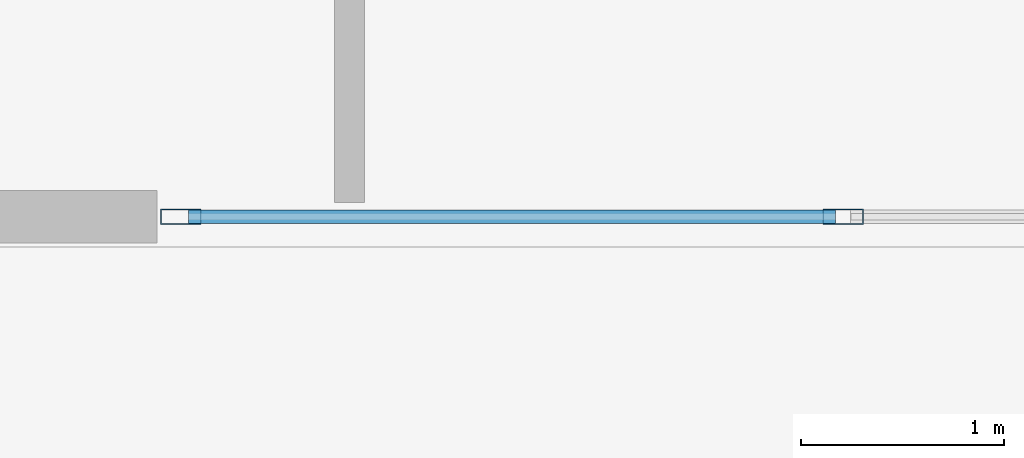
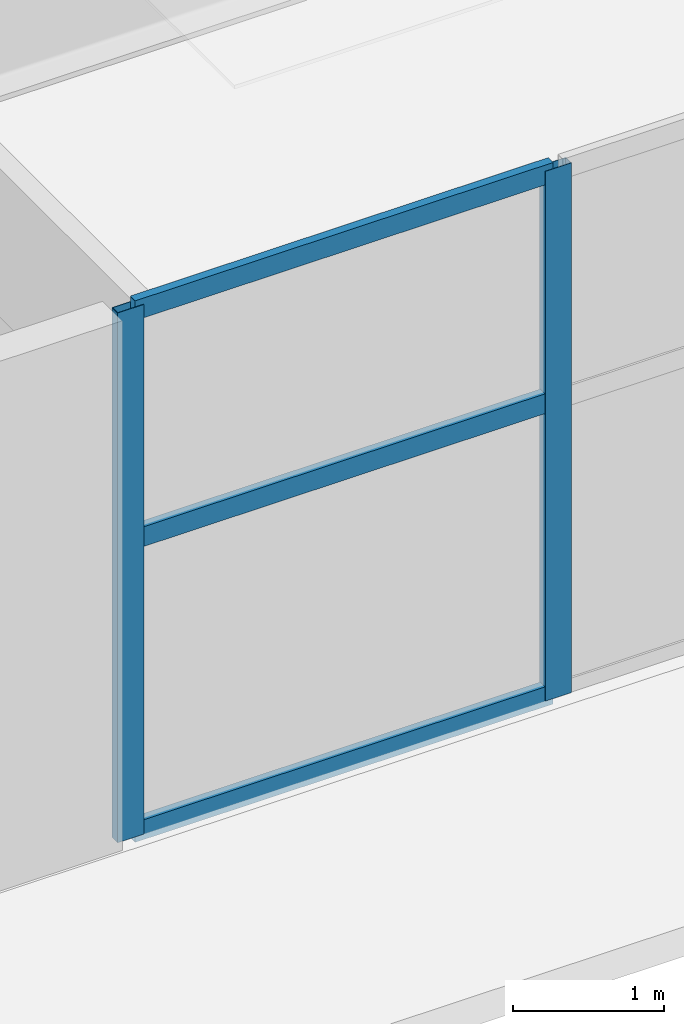
# One storey, part 2 of 18: 5 members, 1 element without a shape of its own.
"""IFC4 building model written with IfcOpenShell, lengths in metres."""

from ifc_helpers import new_model, si_unit, direction, frame, origin, origin_2d, place, context, subcontext, project, spatial, hollow_rectangle, extrude, material, layer, layer_set, material_profile, profile_set, type_object, element, aggregate, save


model = new_model("IFC4")

# Units and contexts
model_context = context("Model", 3, precision=1e-05, world=origin(), true_north=direction((0.0, 1.0)))
body_context = subcontext(model_context, "Body", "Model", "MODEL_VIEW")
ifc_project = project(units=[si_unit("LENGTHUNIT", "METRE"), si_unit("AREAUNIT", "SQUARE_METRE"), si_unit("VOLUMEUNIT", "CUBIC_METRE"), si_unit("PLANEANGLEUNIT", "RADIAN"), si_unit("MASSUNIT", "GRAM", prefix="KILO")], contexts=[model_context])

# Site, building, storey
site_placement = place(None, origin())
site = spatial("IfcSite", under=ifc_project, at=site_placement, CompositionType="ELEMENT")
building_placement = place(site_placement, origin())
building = spatial("IfcBuilding", under=site, at=building_placement, Name="Solvane Sanctuary Tower", CompositionType="ELEMENT")
storey_placement = place(building_placement, origin())
storey = spatial("IfcBuildingStorey", under=building, at=storey_placement, Name="L01", CompositionType="ELEMENT", Elevation=0.0)

# Curtain wall, members
ifc_material = material(Name="Anodised Aluminium 6063-T6", Category="aluminium")
ifc_layer = layer(ifc_material, 0.159912109375, Name="Anodised Aluminium 6063-T6")
ifc_layer_set = layer_set([ifc_layer], Name="Anodised Aluminium 6063-T6")
curtain_wall_type = type_object("IfcCurtainWallType", Name="Curtain Wall CW-POD", PredefinedType="NOTDEFINED", material=ifc_layer_set)
curtain_wall_placement = place(storey_placement, origin())
curtain_wall = element("IfcCurtainWall", 1, at=curtain_wall_placement, inside=storey, type_object=curtain_wall_type, Name="L01 Arrival Curtain Wall S2", PredefinedType="NOTDEFINED")
ifc_material_profile_1 = material_profile(ifc_material, hollow_rectangle(XDim=0.074951171875, YDim=0.199951171875, WallThickness=0.00390625, at=origin_2d()), Name="ALU200X75X4")
ifc_profile_set_1 = profile_set([ifc_material_profile_1], Name="Anodised Aluminium 6063-T6")
member_type_1 = type_object("IfcMemberType", Name="Member M-CW-MUL-1 ALU200X75X4", PredefinedType="MULLION", material=ifc_profile_set_1)
member_1_placement = place(storey_placement, frame((14.117431640625, 0.14990234375, 0.0), z_axis=(0.0, 0.0, 1.0), x_axis=(0.0, 1.0, 0.0)))
member_1 = element("IfcMember", 2, at=member_1_placement, type_object=member_type_1, Name="CW-POD mullion 1", PredefinedType="MULLION", context=body_context, shape_type="SweptSolid", body=[
    extrude(hollow_rectangle(XDim=0.074951171875, YDim=0.199951171875, WallThickness=0.00390625, at=origin_2d()), origin(), (0.0, 0.0, 1.0), 4.280029296875),
])
member_2_placement = place(storey_placement, frame((17.38671875, 0.14990234375, 0.0), z_axis=(0.0, 0.0, 1.0), x_axis=(0.0, 1.0, 0.0)))
member_2 = element("IfcMember", 3, at=member_2_placement, type_object=member_type_1, Name="CW-POD mullion 2", PredefinedType="MULLION", context=body_context, shape_type="SweptSolid", body=[
    extrude(hollow_rectangle(XDim=0.074951171875, YDim=0.199951171875, WallThickness=0.00390625, at=origin_2d()), origin(), (0.0, 0.0, 1.0), 4.280029296875),
])
ifc_material_profile_2 = material_profile(ifc_material, hollow_rectangle(XDim=0.06494140625, YDim=0.159912109375, WallThickness=0.00341796875, at=origin_2d()), Name="ALU160X65X3.5")
ifc_profile_set_2 = profile_set([ifc_material_profile_2], Name="Anodised Aluminium 6063-T6")
member_type_2 = type_object("IfcMemberType", Name="Member M-CW-TRN-1 ALU160X65X3.5", PredefinedType="USERDEFINED", material=ifc_profile_set_2)
member_3_placement = place(storey_placement, frame((14.155029296875, 0.14990234375, 0.032470703125), z_axis=(1.0, 0.0, 0.0), x_axis=(0.0, 1.0, 0.0)))
member_3 = element("IfcMember", 4, at=member_3_placement, type_object=member_type_2, Name="CW-POD transom 1.1", ObjectType="TRANSOM", PredefinedType="USERDEFINED", context=body_context, shape_type="SweptSolid", body=[
    extrude(hollow_rectangle(XDim=0.06494140625, YDim=0.159912109375, WallThickness=0.00341796875, at=origin_2d()), origin(), (0.0, 0.0, 1.0), 3.194091796875),
])
member_4_placement = place(storey_placement, frame((14.155029296875, 0.14990234375, 2.39990234375), z_axis=(1.0, 0.0, 0.0), x_axis=(0.0, 1.0, 0.0)))
member_4 = element("IfcMember", 5, at=member_4_placement, type_object=member_type_2, Name="CW-POD transom 1.2", ObjectType="TRANSOM", PredefinedType="USERDEFINED", context=body_context, shape_type="SweptSolid", body=[
    extrude(hollow_rectangle(XDim=0.06494140625, YDim=0.159912109375, WallThickness=0.00341796875, at=origin_2d()), origin(), (0.0, 0.0, 1.0), 3.194091796875),
])
member_5_placement = place(storey_placement, frame((14.155029296875, 0.14990234375, 4.24755859375), z_axis=(1.0, 0.0, 0.0), x_axis=(0.0, 1.0, 0.0)))
member_5 = element("IfcMember", 6, at=member_5_placement, type_object=member_type_2, Name="CW-POD transom 1.3", ObjectType="TRANSOM", PredefinedType="USERDEFINED", context=body_context, shape_type="SweptSolid", body=[
    extrude(hollow_rectangle(XDim=0.06494140625, YDim=0.159912109375, WallThickness=0.00341796875, at=origin_2d()), origin(), (0.0, 0.0, 1.0), 3.194091796875),
])
aggregate(curtain_wall, [member_1, member_2, member_3, member_4, member_5])

save(model, "model.ifc")
